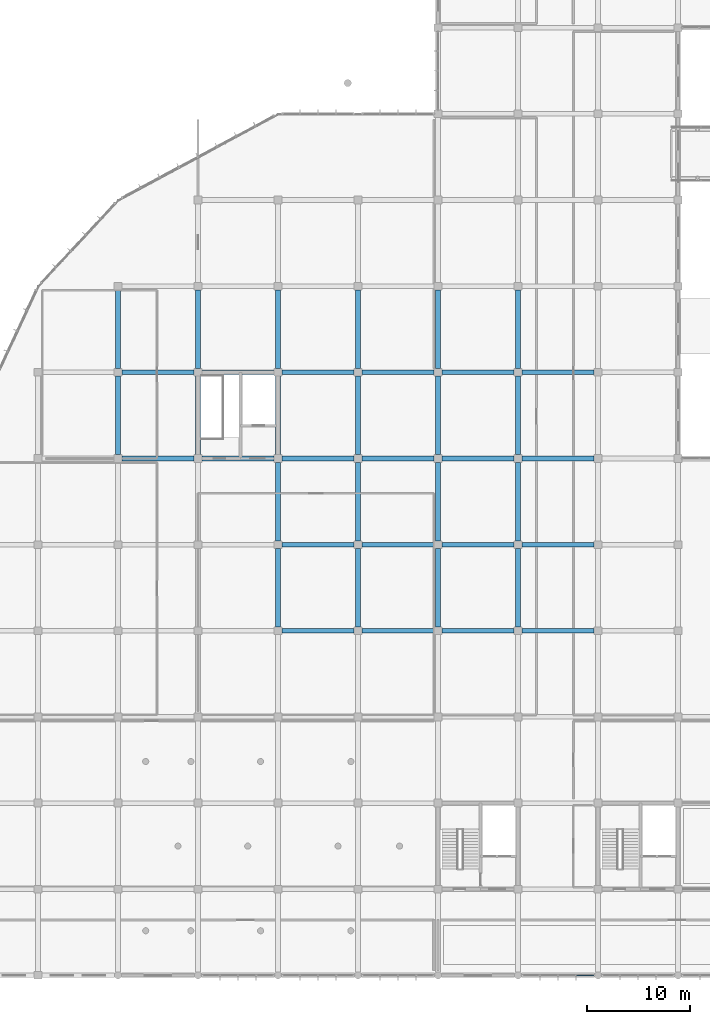
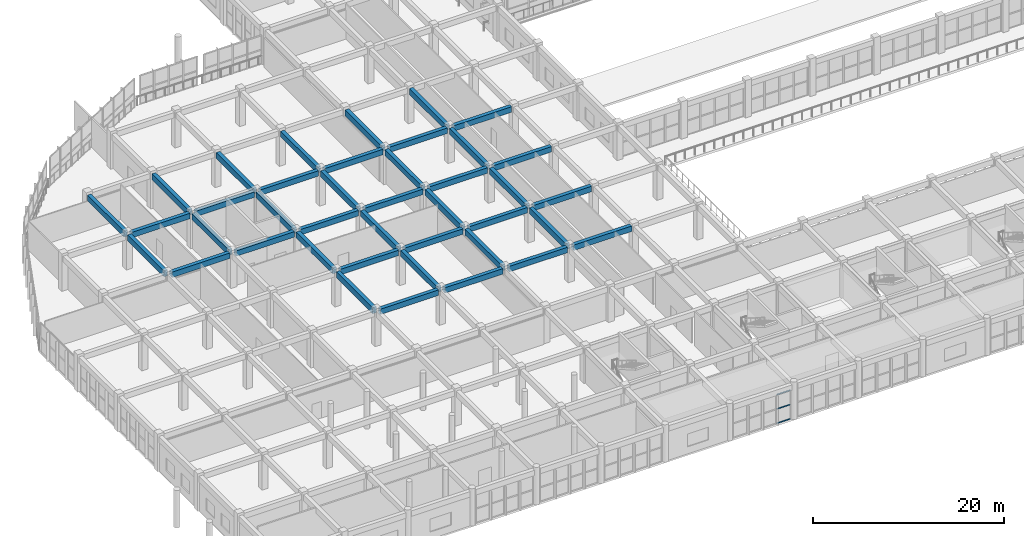
# One storey, part 23 of 167: 40 beams, 3 members, 1 element without a shape of its own.
"""IFC4 building model written with IfcOpenShell, lengths in metres."""

import ifcopenshell
import ifcopenshell.guid

model = None  # the IFC model being written
_history = None  # IfcOwnerHistory: only IFC2X3 demands one
_inside = {}  # id of a spatial element -> (the spatial element, [elements in it])
_under = {}  # id of a project, library or spatial element -> (it, [spatial elements below it])
_declared = {}  # id of a project -> (the project, [libraries it declares])
_typed = {}  # id of a type object -> (the type object, [elements of that type])
_made_of = {}  # id of a material, layer set ... -> (it, [elements and type objects made of it])


def new_model(schema):
    """Start an empty IFC model of exactly this schema.

    Asked for "IFC4X3", IfcOpenShell would pick the latest addendum, in which some entities
    have other attributes; the version numbers below select the first issue.
    IFC2X3 requires an IfcOwnerHistory on every rooted entity: one is made here for all.
    """
    global model, _history
    if schema == "IFC4X3":
        model = ifcopenshell.file(schema_version=(4, 3, 0, 0))
    else:
        model = ifcopenshell.file(schema=schema)
    _inside.clear()
    _under.clear()
    _declared.clear()
    _typed.clear()
    _made_of.clear()
    _history = None
    if model.schema == "IFC2X3":
        org = make("IfcOrganization", Name="unknown")
        user = make(
            "IfcPersonAndOrganization",
            ThePerson=make("IfcPerson", FamilyName="unknown"),
            TheOrganization=org,
        )
        app = make(
            "IfcApplication",
            ApplicationDeveloper=org,
            Version="unknown",
            ApplicationFullName="unknown",
            ApplicationIdentifier="unknown",
        )
        _history = make(
            "IfcOwnerHistory",
            OwningUser=user,
            OwningApplication=app,
            ChangeAction="ADDED",
            CreationDate=0,
        )
    return model


def make(cls, **values):
    """One entity of the class cls with the attributes given. An attribute that is None is left unset."""
    return model.create_entity(
        cls, **{name: value for name, value in values.items() if value is not None}
    )


def rooted(cls, **values):
    """An entity with a GlobalId (a new one), such as an element, a storey or a relation."""
    return make(cls, GlobalId=ifcopenshell.guid.new(), OwnerHistory=_history, **values)


def si_unit(unit_type, name, prefix=None):
    """IfcSIUnit, for example si_unit("LENGTHUNIT", "METRE", prefix="MILLI")."""
    return make("IfcSIUnit", UnitType=unit_type, Prefix=prefix, Name=name)


def assignment(units):
    """IfcUnitAssignment: the units of a project."""
    return None if units is None else make("IfcUnitAssignment", Units=units)


def point(xyz):
    """IfcCartesianPoint."""
    return None if xyz is None else make("IfcCartesianPoint", Coordinates=xyz)


def direction(xyz):
    """IfcDirection."""
    return None if xyz is None else make("IfcDirection", DirectionRatios=xyz)


def frame(location, z_axis=None, x_axis=None):
    """IfcAxis2Placement3D, a coordinate frame: its origin and axes. An axis left out is left unset."""
    return make(
        "IfcAxis2Placement3D",
        Location=point(location),
        Axis=direction(z_axis),
        RefDirection=direction(x_axis),
    )


def frame_2d(location, x_axis=None):
    """IfcAxis2Placement2D, a coordinate frame in the plane: its origin and x axis."""
    return make(
        "IfcAxis2Placement2D", Location=point(location), RefDirection=direction(x_axis)
    )


def origin():
    """The frame at (0, 0, 0) with its axes left unset."""
    return frame((0.0, 0.0, 0.0))


def origin_2d():
    """The frame at (0, 0) in the plane with its x axis left unset."""
    return frame_2d((0.0, 0.0))


def place(relative_to, where):
    """IfcLocalPlacement: puts the frame where relative to a parent placement (None: the world)."""
    return make(
        "IfcLocalPlacement", PlacementRelTo=relative_to, RelativePlacement=where
    )


def context(
    kind, dimensions, precision=None, world=None, true_north=None, identifier=None
):
    """IfcGeometricRepresentationContext, for example the 3D "Model" context."""
    return make(
        "IfcGeometricRepresentationContext",
        ContextIdentifier=identifier,
        ContextType=kind,
        CoordinateSpaceDimension=dimensions,
        Precision=precision,
        WorldCoordinateSystem=world,
        TrueNorth=true_north,
    )


def subcontext(parent, identifier, kind, view, scale=None):
    """IfcGeometricRepresentationSubContext, for example "Body" below "Model"."""
    return make(
        "IfcGeometricRepresentationSubContext",
        ContextIdentifier=identifier,
        ContextType=kind,
        ParentContext=parent,
        TargetScale=scale,
        TargetView=view,
    )


def project(units=None, contexts=None):
    """IfcProject with its units and contexts."""
    return rooted(
        "IfcProject",
        Name="project",
        RepresentationContexts=contexts,
        UnitsInContext=assignment(units),
    )


def spatial(cls, under=None, at=None, **own):
    """A site, building, storey or space (cls), placed at a placement, below another one or the project."""
    s = rooted(cls, ObjectPlacement=at, **own)
    if under is not None:
        _under.setdefault(under.id(), (under, []))[1].append(s)
    return s


def profile(cls, at=None, kind="AREA", **sizes):
    """A parametric profile (cls). Its sizes go by their IFC names, for example OverallWidth=200.0."""
    return make(cls, ProfileType=kind, Position=at, **sizes)


def rectangle(**sizes):
    """IfcRectangleProfileDef."""
    return profile("IfcRectangleProfileDef", **sizes)


def hollow_rectangle(**sizes):
    """IfcRectangleHollowProfileDef."""
    return profile("IfcRectangleHollowProfileDef", **sizes)


def extrude(swept, where, along, depth):
    """IfcExtrudedAreaSolid: the profile swept, set in the frame where, extruded along a direction by depth."""
    return make(
        "IfcExtrudedAreaSolid",
        SweptArea=swept,
        Position=where,
        ExtrudedDirection=direction(along),
        Depth=depth,
    )


def shape(context_of_items, identifier, shape_type, items):
    """IfcShapeRepresentation: the items that make up one representation, for example the "Body"."""
    return make(
        "IfcShapeRepresentation",
        ContextOfItems=context_of_items,
        RepresentationIdentifier=identifier,
        RepresentationType=shape_type,
        Items=items,
    )


def material(Name=None, Category=None):
    """IfcMaterial."""
    return make("IfcMaterial", Name=Name, Category=Category)


def layer(
    of_material, thickness, ventilated=None, Name=None, Category=None, Priority=None
):
    """IfcMaterialLayer: one layer of a wall or slab, of a material (None: an air gap)."""
    return make(
        "IfcMaterialLayer",
        Material=of_material,
        LayerThickness=thickness,
        IsVentilated=ventilated,
        Name=Name,
        Category=Category,
        Priority=Priority,
    )


def layer_set(layers, Name=None):
    """IfcMaterialLayerSet."""
    return make("IfcMaterialLayerSet", MaterialLayers=layers, LayerSetName=Name)


def material_profile(
    of_material, cross_section, Name=None, Category=None, Priority=None
):
    """IfcMaterialProfile: a cross section and its material."""
    return make(
        "IfcMaterialProfile",
        Name=Name,
        Material=of_material,
        Profile=cross_section,
        Priority=Priority,
        Category=Category,
    )


def profile_set(profiles, Name=None, composite=None):
    """IfcMaterialProfileSet."""
    return make(
        "IfcMaterialProfileSet",
        Name=Name,
        MaterialProfiles=profiles,
        CompositeProfile=composite,
    )


def made_of(thing, what):
    """Note that an element or type object is made of a material, layer set ...; save() writes the relation."""
    if what is not None:
        _made_of.setdefault(what.id(), (what, []))[1].append(thing)
    return thing


def type_object(cls, material=None, **own):
    """A type object (cls), such as IfcWallType, which elements share."""
    return made_of(rooted(cls, **own), material)


def element(
    cls,
    number,
    at=None,
    inside=None,
    cuts=None,
    type_object=None,
    material=None,
    context=None,
    identifier="Body",
    shape_type=None,
    held_by="IfcProductDefinitionShape",
    body=None,
    shapes=None,
    **own,
):
    """One element of the class cls, such as IfcWall. Its Tag is "e" and its number.

    at: its placement. inside: the storey or other place that contains it. cuts: it is an
    opening in that element (IfcRelVoidsElement). A single representation is given by context,
    identifier, shape_type and body (its items); several are given by shapes. held_by: the class
    of the entity that holds the representations. save() writes the other relations.
    """
    e = rooted(cls, Tag="e%d" % number, ObjectPlacement=at, **own)
    if body is not None:
        shapes = [shape(context, identifier, shape_type, body)]
    if shapes is not None:
        e.Representation = make(held_by, Representations=shapes)
    if inside is not None:
        _inside.setdefault(inside.id(), (inside, []))[1].append(e)
    if cuts is not None:
        rooted(
            "IfcRelVoidsElement", RelatingBuildingElement=cuts, RelatedOpeningElement=e
        )
    if type_object is not None:
        _typed.setdefault(type_object.id(), (type_object, []))[1].append(e)
    return made_of(e, material)


def aggregate(whole, parts):
    """IfcRelAggregates: a whole, such as a stair, and the parts it consists of."""
    return rooted("IfcRelAggregates", RelatingObject=whole, RelatedObjects=parts)


def save(model, path):
    """Write the relations noted so far, then the file.

    IfcRelAggregates (storeys below a building ...), IfcRelContainedInSpatialStructure (elements
    in a storey), IfcRelDefinesByType, IfcRelAssociatesMaterial and IfcRelDeclares: one each for
    every whole, place, type object, material and project.
    """
    for whole, parts in _under.values():
        aggregate(whole, parts)
    for where, things in _inside.values():
        rooted(
            "IfcRelContainedInSpatialStructure",
            RelatedElements=things,
            RelatingStructure=where,
        )
    for kind, things in _typed.values():
        rooted("IfcRelDefinesByType", RelatedObjects=things, RelatingType=kind)
    for what, things in _made_of.values():
        rooted("IfcRelAssociatesMaterial", RelatedObjects=things, RelatingMaterial=what)
    for by, libraries in _declared.values():
        rooted("IfcRelDeclares", RelatingContext=by, RelatedDefinitions=libraries)
    model.write(path)


model = new_model("IFC4")

# Units and contexts
model_context = context("Model", 3, precision=1e-05, world=origin(), true_north=direction((0.0, 1.0)))
body_context = subcontext(model_context, "Body", "Model", "MODEL_VIEW")
ifc_project = project(units=[si_unit("LENGTHUNIT", "METRE"), si_unit("AREAUNIT", "SQUARE_METRE"), si_unit("VOLUMEUNIT", "CUBIC_METRE"), si_unit("PLANEANGLEUNIT", "RADIAN"), si_unit("MASSUNIT", "GRAM", prefix="KILO")], contexts=[model_context])

# Site, building, storey
site_placement = place(None, origin())
site = spatial("IfcSite", under=ifc_project, at=site_placement, CompositionType="ELEMENT")
building_placement = place(site_placement, origin())
building = spatial("IfcBuilding", under=site, at=building_placement, Name="Zizhar Promenade General Hospital", CompositionType="ELEMENT")
storey_placement = place(building_placement, frame((0.0, 0.0, 9.60009765625)))
storey = spatial("IfcBuildingStorey", under=building, at=storey_placement, Name="L02", CompositionType="ELEMENT", Elevation=9.60009765625)

# Beams
ifc_material_1 = material(Name="Concrete C35/45", Category="concrete")
ifc_material_profile_1 = material_profile(ifc_material_1, rectangle(XDim=0.449951171875, YDim=0.699951171875, at=origin_2d()))
ifc_profile_set_1 = profile_set([ifc_material_profile_1], Name="Concrete C35/45")
beam_type_1 = type_object("IfcBeamType", Name="BM-RC-450x700", PredefinedType="BEAM", material=ifc_profile_set_1)
for number, where, z_axis, x_axis, name in (
    (1, (15.97509765625, 50.39990234375, 4.119873046875), (1.0, 0.0, 0.0), (0.0, 1.0, 0.0), "Grid Beam X L02 (2-6)"),
    (2, (15.97509765625, 58.800048828125, 4.119873046875), (1.0, 0.0, 0.0), (0.0, 1.0, 0.0), "Grid Beam X L02 (2-7)"),
):
    element("IfcBeam", number, at=place(storey_placement, frame(where, z_axis=z_axis, x_axis=x_axis)), inside=storey, type_object=beam_type_1, Name=name, PredefinedType="BEAM", context=body_context, shape_type="SweptSolid", body=[
        extrude(rectangle(XDim=0.449951171875, YDim=0.699951171875, at=origin_2d()), origin(), (0.0, 0.0, 1.0), 7.0498046875),
    ])
for number, where, z_axis, x_axis, name in (
    (3, (23.77490234375, 50.39990234375, 4.119873046875), (1.0, 0.0, 0.0), (0.0, 1.0, 0.0), "Grid Beam X L02 (3-6)"),
    (4, (23.77490234375, 58.800048828125, 4.119873046875), (1.0, 0.0, 0.0), (0.0, 1.0, 0.0), "Grid Beam X L02 (3-7)"),
    (5, (31.574951171875, 33.60009765625, 4.119873046875), (1.0, 0.0, 0.0), (0.0, 1.0, 0.0), "Grid Beam X L02 (4-4)"),
    (6, (31.574951171875, 42.0, 4.119873046875), (1.0, 0.0, 0.0), (0.0, 1.0, 0.0), "Grid Beam X L02 (4-5)"),
    (7, (31.574951171875, 50.39990234375, 4.119873046875), (1.0, 0.0, 0.0), (0.0, 1.0, 0.0), "Grid Beam X L02 (4-6)"),
    (8, (31.574951171875, 58.800048828125, 4.119873046875), (1.0, 0.0, 0.0), (0.0, 1.0, 0.0), "Grid Beam X L02 (4-7)"),
    (9, (39.375, 33.60009765625, 4.119873046875), (1.0, 0.0, 0.0), (0.0, 1.0, 0.0), "Grid Beam X L02 (5-4)"),
    (10, (39.375, 42.0, 4.119873046875), (1.0, 0.0, 0.0), (0.0, 1.0, 0.0), "Grid Beam X L02 (5-5)"),
    (11, (39.375, 50.39990234375, 4.119873046875), (1.0, 0.0, 0.0), (0.0, 1.0, 0.0), "Grid Beam X L02 (5-6)"),
    (12, (39.375, 58.800048828125, 4.119873046875), (1.0, 0.0, 0.0), (0.0, 1.0, 0.0), "Grid Beam X L02 (5-7)"),
    (13, (47.175048828125, 33.60009765625, 4.119873046875), (1.0, 0.0, 0.0), (0.0, 1.0, 0.0), "Grid Beam X L02 (6-4)"),
    (14, (47.175048828125, 42.0, 4.119873046875), (1.0, 0.0, 0.0), (0.0, 1.0, 0.0), "Grid Beam X L02 (6-5)"),
    (15, (47.175048828125, 50.39990234375, 4.119873046875), (1.0, 0.0, 0.0), (0.0, 1.0, 0.0), "Grid Beam X L02 (6-6)"),
    (16, (47.175048828125, 58.800048828125, 4.119873046875), (1.0, 0.0, 0.0), (0.0, 1.0, 0.0), "Grid Beam X L02 (6-7)"),
):
    element("IfcBeam", number, at=place(storey_placement, frame(where, z_axis=z_axis, x_axis=x_axis)), inside=storey, type_object=beam_type_1, Name=name, PredefinedType="BEAM", context=body_context, shape_type="SweptSolid", body=[
        extrude(rectangle(XDim=0.449951171875, YDim=0.699951171875, at=origin_2d()), origin(), (0.0, 0.0, 1.0), 7.050048828125),
    ])
for number, where, z_axis, x_axis, name in (
    (17, (54.97509765625, 33.60009765625, 4.119873046875), (1.0, 0.0, 0.0), (0.0, 1.0, 0.0), "Grid Beam X L02 (7-4)"),
    (18, (54.97509765625, 42.0, 4.119873046875), (1.0, 0.0, 0.0), (0.0, 1.0, 0.0), "Grid Beam X L02 (7-5)"),
    (19, (54.97509765625, 50.39990234375, 4.119873046875), (1.0, 0.0, 0.0), (0.0, 1.0, 0.0), "Grid Beam X L02 (7-6)"),
    (20, (54.97509765625, 58.800048828125, 4.119873046875), (1.0, 0.0, 0.0), (0.0, 1.0, 0.0), "Grid Beam X L02 (7-7)"),
):
    element("IfcBeam", number, at=place(storey_placement, frame(where, z_axis=z_axis, x_axis=x_axis)), inside=storey, type_object=beam_type_1, Name=name, PredefinedType="BEAM", context=body_context, shape_type="SweptSolid", body=[
        extrude(rectangle(XDim=0.449951171875, YDim=0.699951171875, at=origin_2d()), origin(), (0.0, 0.0, 1.0), 7.0498046875),
    ])
ifc_material_2 = material(Name="Concrete C35/45", Category="concrete")
ifc_material_profile_2 = material_profile(ifc_material_2, rectangle(XDim=0.449951171875, YDim=0.75, at=origin_2d()))
ifc_profile_set_2 = profile_set([ifc_material_profile_2], Name="Concrete C35/45")
beam_type_2 = type_object("IfcBeamType", Name="BM-RC-450x750", PredefinedType="BEAM", material=ifc_profile_set_2)
beam_1_placement = place(storey_placement, frame((15.60009765625, 50.77490234375, 4.094970703125), z_axis=(0.0, 1.0, 0.0), x_axis=(-1.0, 0.0, 0.0)))
element("IfcBeam", 21, at=beam_1_placement, inside=storey, type_object=beam_type_2, Name="Grid Beam Y L02 (2-6)", PredefinedType="BEAM", context=body_context, shape_type="SweptSolid", body=[
    extrude(rectangle(XDim=0.449951171875, YDim=0.75, at=origin_2d()), origin(), (0.0, 0.0, 1.0), 7.650146484375),
])
beam_2_placement = place(storey_placement, frame((15.60009765625, 59.175048828125, 4.094970703125), z_axis=(0.0, 1.0, 0.0), x_axis=(-1.0, 0.0, 0.0)))
element("IfcBeam", 22, at=beam_2_placement, inside=storey, type_object=beam_type_2, Name="Grid Beam Y L02 (2-7)", PredefinedType="BEAM", context=body_context, shape_type="SweptSolid", body=[
    extrude(rectangle(XDim=0.449951171875, YDim=0.75, at=origin_2d()), origin(), (0.0, 0.0, 1.0), 7.64990234375),
])
beam_3_placement = place(storey_placement, frame((23.39990234375, 50.77490234375, 4.094970703125), z_axis=(0.0, 1.0, 0.0), x_axis=(-1.0, 0.0, 0.0)))
element("IfcBeam", 23, at=beam_3_placement, inside=storey, type_object=beam_type_2, Name="Grid Beam Y L02 (3-6)", PredefinedType="BEAM", context=body_context, shape_type="SweptSolid", body=[
    extrude(rectangle(XDim=0.449951171875, YDim=0.75, at=origin_2d()), origin(), (0.0, 0.0, 1.0), 7.650146484375),
])
for number, where, z_axis, x_axis, name in (
    (24, (23.39990234375, 59.175048828125, 4.094970703125), (0.0, 1.0, 0.0), (-1.0, 0.0, 0.0), "Grid Beam Y L02 (3-7)"),
    (25, (31.199951171875, 33.97509765625, 4.094970703125), (0.0, 1.0, 0.0), (-1.0, 0.0, 0.0), "Grid Beam Y L02 (4-4)"),
    (26, (31.199951171875, 42.375, 4.094970703125), (0.0, 1.0, 0.0), (-1.0, 0.0, 0.0), "Grid Beam Y L02 (4-5)"),
):
    element("IfcBeam", number, at=place(storey_placement, frame(where, z_axis=z_axis, x_axis=x_axis)), inside=storey, type_object=beam_type_2, Name=name, PredefinedType="BEAM", context=body_context, shape_type="SweptSolid", body=[
        extrude(rectangle(XDim=0.449951171875, YDim=0.75, at=origin_2d()), origin(), (0.0, 0.0, 1.0), 7.64990234375),
    ])
beam_4_placement = place(storey_placement, frame((31.199951171875, 50.77490234375, 4.094970703125), z_axis=(0.0, 1.0, 0.0), x_axis=(-1.0, 0.0, 0.0)))
element("IfcBeam", 27, at=beam_4_placement, inside=storey, type_object=beam_type_2, Name="Grid Beam Y L02 (4-6)", PredefinedType="BEAM", context=body_context, shape_type="SweptSolid", body=[
    extrude(rectangle(XDim=0.449951171875, YDim=0.75, at=origin_2d()), origin(), (0.0, 0.0, 1.0), 7.650146484375),
])
for number, where, z_axis, x_axis, name in (
    (28, (31.199951171875, 59.175048828125, 4.094970703125), (0.0, 1.0, 0.0), (-1.0, 0.0, 0.0), "Grid Beam Y L02 (4-7)"),
    (29, (39.0, 33.97509765625, 4.094970703125), (0.0, 1.0, 0.0), (-1.0, 0.0, 0.0), "Grid Beam Y L02 (5-4)"),
    (30, (39.0, 42.375, 4.094970703125), (0.0, 1.0, 0.0), (-1.0, 0.0, 0.0), "Grid Beam Y L02 (5-5)"),
):
    element("IfcBeam", number, at=place(storey_placement, frame(where, z_axis=z_axis, x_axis=x_axis)), inside=storey, type_object=beam_type_2, Name=name, PredefinedType="BEAM", context=body_context, shape_type="SweptSolid", body=[
        extrude(rectangle(XDim=0.449951171875, YDim=0.75, at=origin_2d()), origin(), (0.0, 0.0, 1.0), 7.64990234375),
    ])
beam_5_placement = place(storey_placement, frame((39.0, 50.77490234375, 4.094970703125), z_axis=(0.0, 1.0, 0.0), x_axis=(-1.0, 0.0, 0.0)))
element("IfcBeam", 31, at=beam_5_placement, inside=storey, type_object=beam_type_2, Name="Grid Beam Y L02 (5-6)", PredefinedType="BEAM", context=body_context, shape_type="SweptSolid", body=[
    extrude(rectangle(XDim=0.449951171875, YDim=0.75, at=origin_2d()), origin(), (0.0, 0.0, 1.0), 7.650146484375),
])
for number, where, z_axis, x_axis, name in (
    (32, (39.0, 59.175048828125, 4.094970703125), (0.0, 1.0, 0.0), (-1.0, 0.0, 0.0), "Grid Beam Y L02 (5-7)"),
    (33, (46.800048828125, 33.97509765625, 4.094970703125), (0.0, 1.0, 0.0), (-1.0, 0.0, 0.0), "Grid Beam Y L02 (6-4)"),
    (34, (46.800048828125, 42.375, 4.094970703125), (0.0, 1.0, 0.0), (-1.0, 0.0, 0.0), "Grid Beam Y L02 (6-5)"),
):
    element("IfcBeam", number, at=place(storey_placement, frame(where, z_axis=z_axis, x_axis=x_axis)), inside=storey, type_object=beam_type_2, Name=name, PredefinedType="BEAM", context=body_context, shape_type="SweptSolid", body=[
        extrude(rectangle(XDim=0.449951171875, YDim=0.75, at=origin_2d()), origin(), (0.0, 0.0, 1.0), 7.64990234375),
    ])
beam_6_placement = place(storey_placement, frame((46.800048828125, 50.77490234375, 4.094970703125), z_axis=(0.0, 1.0, 0.0), x_axis=(-1.0, 0.0, 0.0)))
element("IfcBeam", 35, at=beam_6_placement, inside=storey, type_object=beam_type_2, Name="Grid Beam Y L02 (6-6)", PredefinedType="BEAM", context=body_context, shape_type="SweptSolid", body=[
    extrude(rectangle(XDim=0.449951171875, YDim=0.75, at=origin_2d()), origin(), (0.0, 0.0, 1.0), 7.650146484375),
])
for number, where, z_axis, x_axis, name in (
    (36, (46.800048828125, 59.175048828125, 4.094970703125), (0.0, 1.0, 0.0), (-1.0, 0.0, 0.0), "Grid Beam Y L02 (6-7)"),
    (37, (54.60009765625, 33.97509765625, 4.094970703125), (0.0, 1.0, 0.0), (-1.0, 0.0, 0.0), "Grid Beam Y L02 (7-4)"),
    (38, (54.60009765625, 42.375, 4.094970703125), (0.0, 1.0, 0.0), (-1.0, 0.0, 0.0), "Grid Beam Y L02 (7-5)"),
):
    element("IfcBeam", number, at=place(storey_placement, frame(where, z_axis=z_axis, x_axis=x_axis)), inside=storey, type_object=beam_type_2, Name=name, PredefinedType="BEAM", context=body_context, shape_type="SweptSolid", body=[
        extrude(rectangle(XDim=0.449951171875, YDim=0.75, at=origin_2d()), origin(), (0.0, 0.0, 1.0), 7.64990234375),
    ])
beam_7_placement = place(storey_placement, frame((54.60009765625, 50.77490234375, 4.094970703125), z_axis=(0.0, 1.0, 0.0), x_axis=(-1.0, 0.0, 0.0)))
element("IfcBeam", 39, at=beam_7_placement, inside=storey, type_object=beam_type_2, Name="Grid Beam Y L02 (7-6)", PredefinedType="BEAM", context=body_context, shape_type="SweptSolid", body=[
    extrude(rectangle(XDim=0.449951171875, YDim=0.75, at=origin_2d()), origin(), (0.0, 0.0, 1.0), 7.650146484375),
])
beam_8_placement = place(storey_placement, frame((54.60009765625, 59.175048828125, 4.094970703125), z_axis=(0.0, 1.0, 0.0), x_axis=(-1.0, 0.0, 0.0)))
element("IfcBeam", 40, at=beam_8_placement, inside=storey, type_object=beam_type_2, Name="Grid Beam Y L02 (7-7)", PredefinedType="BEAM", context=body_context, shape_type="SweptSolid", body=[
    extrude(rectangle(XDim=0.449951171875, YDim=0.75, at=origin_2d()), origin(), (0.0, 0.0, 1.0), 7.64990234375),
])

# Curtain wall, members
ifc_material_3 = material(Name="Anodised aluminium 6063-T6 and low-E glass", Category="aluminium")
ifc_layer = layer(ifc_material_3, 0.159912109375)
ifc_layer_set = layer_set([ifc_layer], Name="Anodised aluminium 6063-T6 and low-E glass")
curtain_wall_type = type_object("IfcCurtainWallType", Name="CW-DT-MOD1", PredefinedType="NOTDEFINED", material=ifc_layer_set)
curtain_wall_placement = place(storey_placement, origin())
curtain_wall = element("IfcCurtainWall", 41, at=curtain_wall_placement, inside=storey, type_object=curtain_wall_type, Name="Riverfront Clinical Curtain Wall L02-6", PredefinedType="NOTDEFINED")
ifc_material_4 = material(Name="Anodised aluminium 6063-T6", Category="aluminium")
ifc_material_profile_3 = material_profile(ifc_material_4, hollow_rectangle(XDim=0.06005859375, YDim=0.14990234375, WallThickness=0.00390625, at=origin_2d()))
ifc_profile_set_3 = profile_set([ifc_material_profile_3], Name="Anodised aluminium 6063-T6")
member_type = type_object("IfcMemberType", Name="CWT-ALU-150x60", PredefinedType="USERDEFINED", material=ifc_profile_set_3)
member_1_placement = place(storey_placement, frame((61.9599609375, 0.0, 0.02978515625), z_axis=(-1.0, 0.0, 0.0), x_axis=(0.0, -1.0, 0.0)))
member_1 = element("IfcMember", 42, at=member_1_placement, type_object=member_type, Name="CW-07 transom 1.1", ObjectType="TRANSOM", PredefinedType="USERDEFINED", context=body_context, shape_type="SweptSolid", body=[
    extrude(hollow_rectangle(XDim=0.06005859375, YDim=0.14990234375, WallThickness=0.00390625, at=origin_2d()), origin(), (0.0, 0.0, 1.0), 1.64990234375),
])
member_2_placement = place(storey_placement, frame((61.9599609375, 0.0, 1.864990234375), z_axis=(-1.0, 0.0, 0.0), x_axis=(0.0, -1.0, 0.0)))
member_2 = element("IfcMember", 43, at=member_2_placement, type_object=member_type, Name="CW-07 transom 1.2", ObjectType="TRANSOM", PredefinedType="USERDEFINED", context=body_context, shape_type="SweptSolid", body=[
    extrude(hollow_rectangle(XDim=0.06005859375, YDim=0.14990234375, WallThickness=0.00390625, at=origin_2d()), origin(), (0.0, 0.0, 1.0), 1.64990234375),
])
member_3_placement = place(storey_placement, frame((61.9599609375, 0.0, 3.699951171875), z_axis=(-1.0, 0.0, 0.0), x_axis=(0.0, -1.0, 0.0)))
member_3 = element("IfcMember", 44, at=member_3_placement, type_object=member_type, Name="CW-07 transom 1.3", ObjectType="TRANSOM", PredefinedType="USERDEFINED", context=body_context, shape_type="SweptSolid", body=[
    extrude(hollow_rectangle(XDim=0.06005859375, YDim=0.14990234375, WallThickness=0.00390625, at=origin_2d()), origin(), (0.0, 0.0, 1.0), 1.64990234375),
])
aggregate(curtain_wall, [member_1, member_2, member_3])

save(model, "model.ifc")
